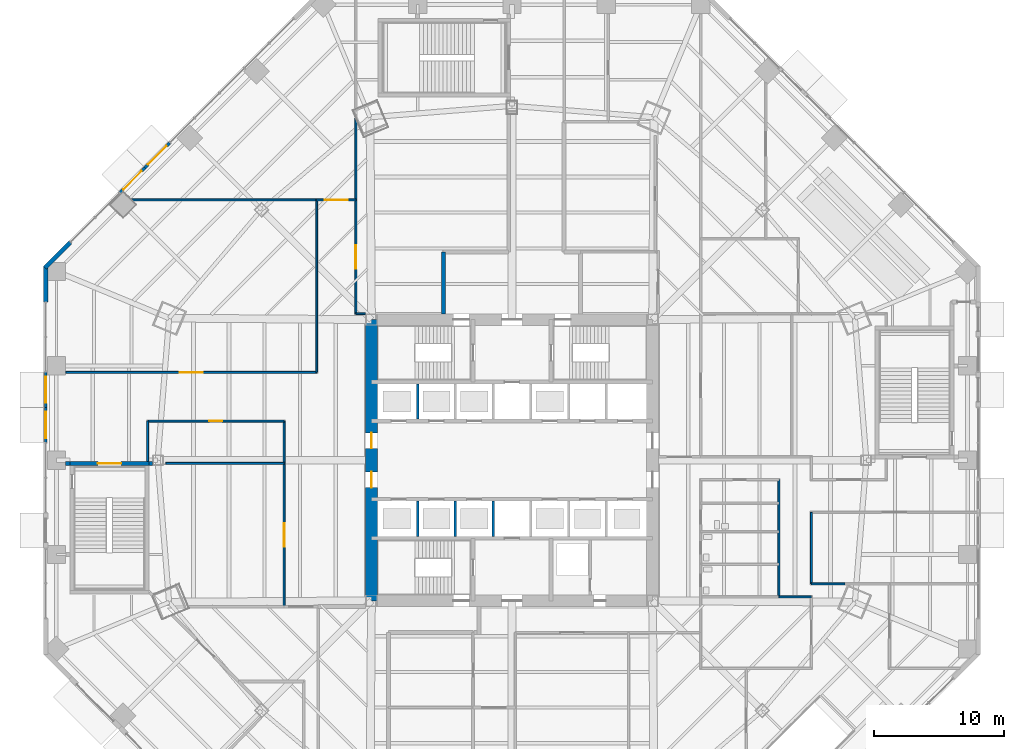
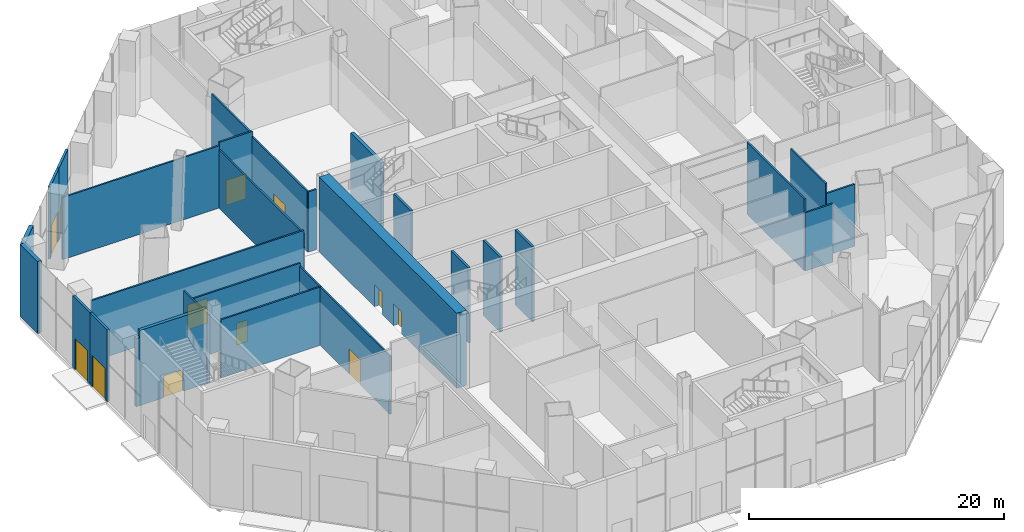
# One storey, part 21 of 35: 30 walls, 12 doors, 12 openings.
"""IFC4 building model written with IfcOpenShell, lengths in metres."""

from ifc_helpers import new_model, si_unit, direction, frame, frame_2d, origin, place, context, subcontext, project, spatial, rectangle, extrude, material, layer, layer_set, type_object, element, fill, save


model = new_model("IFC4")

# Units and contexts
model_context = context("Model", 3, precision=1e-05, world=origin(), true_north=direction((0.0, 1.0)))
body_context = subcontext(model_context, "Body", "Model", "MODEL_VIEW")
ifc_project = project(units=[si_unit("LENGTHUNIT", "METRE"), si_unit("AREAUNIT", "SQUARE_METRE"), si_unit("VOLUMEUNIT", "CUBIC_METRE"), si_unit("PLANEANGLEUNIT", "RADIAN"), si_unit("MASSUNIT", "GRAM", prefix="KILO")], contexts=[model_context])

# Site, building, storey
site_placement = place(None, origin())
site = spatial("IfcSite", under=ifc_project, at=site_placement, CompositionType="ELEMENT")
building_placement = place(site_placement, origin())
building = spatial("IfcBuilding", under=site, at=building_placement, Name="Mashrafa Tower", CompositionType="ELEMENT")
storey_placement = place(building_placement, origin())
storey = spatial("IfcBuildingStorey", under=building, at=storey_placement, Name="L00", CompositionType="ELEMENT", Elevation=0.0)

# Wall, openings, doors
ifc_material_1 = material(Name="Concrete C60/75", Category="concrete")
ifc_layer_1 = layer(ifc_material_1, 0.89990234375)
ifc_layer_set_1 = layer_set([ifc_layer_1], Name="Core wall 900 C60/75")
wall_type_1 = type_object("IfcWallType", Name="Core wall 900 C60/75", PredefinedType="SOLIDWALL", material=ifc_layer_set_1)
wall_1_placement = place(storey_placement, frame((-10.800048828125, 10.800048828125, 0.0), z_axis=(0.0, 0.0, 1.0), x_axis=(0.0, -1.0, 0.0)))
wall_1 = element("IfcWall", 1, at=wall_1_placement, inside=storey, type_object=wall_type_1, Name="Core wall CW-W L00", PredefinedType="SOLIDWALL", context=body_context, shape_type="SweptSolid", body=[
    extrude(rectangle(XDim=21.60009765625, YDim=0.89990234375, at=frame_2d((10.800048828125, 0.0))), origin(), (0.0, 0.0, 1.0), 7.199951171875),
])
opening_1_placement = place(wall_1_placement, frame((8.699951171875, 0.0, 0.0)))
opening_1 = element("IfcOpeningElement", 2, at=opening_1_placement, cuts=wall_1, Name="Opening 00.032", PredefinedType="OPENING", context=body_context, shape_type="SweptSolid", body=[
    extrude(rectangle(XDim=1.199951171875, YDim=2.10009765625, at=frame_2d((0.60009765625, 1.050048828125))), frame((0.0, 0.4599609375, 0.0), z_axis=(0.0, -1.0, 0.0), x_axis=(1.0, 0.0, 0.0)), (0.0, 0.0, 1.0), 0.919921875),
])
opening_2_placement = place(wall_1_placement, frame((11.699951171875, 0.0, 0.0)))
opening_2 = element("IfcOpeningElement", 3, at=opening_2_placement, cuts=wall_1, Name="Opening 00.034", PredefinedType="OPENING", context=body_context, shape_type="SweptSolid", body=[
    extrude(rectangle(XDim=1.199951171875, YDim=2.10009765625, at=frame_2d((0.60009765625, 1.050048828125))), frame((0.0, 0.4599609375, 0.0), z_axis=(0.0, -1.0, 0.0), x_axis=(1.0, 0.0, 0.0)), (0.0, 0.0, 1.0), 0.919921875),
])
ifc_material_2 = material(Name="Steel door", Category="steel")
door_type_1 = type_object("IfcDoorType", Name="Lift hall door 1200 x 2100 90 min", OperationType="USERDEFINED", PredefinedType="DOOR", material=ifc_material_2)
door_1_placement = place(opening_1_placement, frame((1.199951171875, 0.0, 0.0), z_axis=(0.0, 0.0, 1.0), x_axis=(-1.0, 0.0, 0.0)))
door_1 = element("IfcDoor", 4, at=door_1_placement, inside=storey, type_object=door_type_1, Name="Lift hall door west L00", OperationType="SINGLE_SWING_RIGHT", OverallHeight=2.10009765625, OverallWidth=1.199951171875, PredefinedType="DOOR", context=body_context, shape_type="SweptSolid", body=[
    extrude(rectangle(XDim=1.199951171875, YDim=2.10009765625, at=frame_2d((0.60009765625, 1.050048828125))), frame((0.0, 0.02490234375, 0.0), z_axis=(0.0, -1.0, 0.0), x_axis=(1.0, 0.0, 0.0)), (0.0, 0.0, 1.0), 0.050048828125),
])
fill(opening_1, door_1)
door_2_placement = place(opening_2_placement, frame((1.199951171875, 0.0, 0.0), z_axis=(0.0, 0.0, 1.0), x_axis=(-1.0, 0.0, 0.0)))
door_2 = element("IfcDoor", 5, at=door_2_placement, inside=storey, type_object=door_type_1, Name="Lift hall door west L00", OperationType="SINGLE_SWING_LEFT", OverallHeight=2.10009765625, OverallWidth=1.199951171875, PredefinedType="DOOR", context=body_context, shape_type="SweptSolid", body=[
    extrude(rectangle(XDim=1.199951171875, YDim=2.10009765625, at=frame_2d((0.60009765625, 1.050048828125))), frame((0.0, 0.02490234375, 0.0), z_axis=(0.0, -1.0, 0.0), x_axis=(1.0, 0.0, 0.0)), (0.0, 0.0, 1.0), 0.050048828125),
])
fill(opening_2, door_2)

# Wall
ifc_material_3 = material(Name="Gypsum board on steel studs", Category="steel")
ifc_layer_2 = layer(ifc_material_3, 0.14990234375)
ifc_layer_set_2 = layer_set([ifc_layer_2], Name="Corridor partition 150 1 hr")
wall_type_2 = type_object("IfcWallType", Name="Corridor partition 150 1 hr", PredefinedType="PARTITIONING", material=ifc_layer_set_2)
wall_2_placement = place(storey_placement, frame((20.5, -10.5, 0.0), z_axis=(0.0, 0.0, 1.0), x_axis=(0.0, 1.0, 0.0)))
element("IfcWall", 6, at=wall_2_placement, inside=storey, type_object=wall_type_2, Name="Corridor wall L00-028", PredefinedType="PARTITIONING", context=body_context, shape_type="SweptSolid", body=[
    extrude(rectangle(XDim=9.0, YDim=0.14990234375, at=frame_2d((4.5, 0.0))), origin(), (0.0, 0.0, 1.0), 6.89990234375),
])

# Wall, opening, door
wall_3_placement = place(storey_placement, frame((-15.0009765625, 20.0, 0.0), z_axis=(0.0, 0.0, 1.0), x_axis=(1.0, 0.0, 0.0)))
wall_3 = element("IfcWall", 7, at=wall_3_placement, inside=storey, type_object=wall_type_2, Name="Corridor wall L00-053", PredefinedType="PARTITIONING", context=body_context, shape_type="SweptSolid", body=[
    extrude(rectangle(XDim=3.0009765625, YDim=0.14990234375, at=frame_2d((1.50048828125, 0.0))), origin(), (0.0, 0.0, 1.0), 6.2880859375),
])
opening_3_placement = place(wall_3_placement, frame((0.6005859375, 0.0, 0.0)))
opening_3 = element("IfcOpeningElement", 8, at=opening_3_placement, cuts=wall_3, Name="Opening 00.009", PredefinedType="OPENING", context=body_context, shape_type="SweptSolid", body=[
    extrude(rectangle(XDim=1.800048828125, YDim=2.39990234375, at=frame_2d((0.89990234375, 1.199951171875))), frame((0.0, 0.0849609375, 0.0), z_axis=(0.0, -1.0, 0.0), x_axis=(1.0, 0.0, 0.0)), (0.0, 0.0, 1.0), 0.169921875),
])
ifc_material_4 = material(Name="Steel door", Category="steel")
door_type_2 = type_object("IfcDoorType", Name="Door pair 1800 x 2400 90 min", OperationType="DOUBLE_DOOR_SINGLE_SWING", PredefinedType="DOOR", material=ifc_material_4)
door_3_placement = place(opening_3_placement, origin())
door_3 = element("IfcDoor", 9, at=door_3_placement, inside=storey, type_object=door_type_2, Name="Retail Unit 001 door", OperationType="DOUBLE_DOOR_SINGLE_SWING", OverallHeight=2.39990234375, OverallWidth=1.800048828125, PredefinedType="DOOR", context=body_context, shape_type="SweptSolid", body=[
    extrude(rectangle(XDim=1.800048828125, YDim=2.39990234375, at=frame_2d((0.89990234375, 1.199951171875))), frame((0.0, 0.02490234375, 0.0), z_axis=(0.0, -1.0, 0.0), x_axis=(1.0, 0.0, 0.0)), (0.0, 0.0, 1.0), 0.050048828125),
])
fill(opening_3, door_3)

wall_4_placement = place(storey_placement, frame((-34.281005859375, 6.75, 0.0), z_axis=(0.0, 0.0, 1.0), x_axis=(1.0, 0.0, 0.0)))
wall_4 = element("IfcWall", 10, at=wall_4_placement, inside=storey, type_object=wall_type_2, Name="Corridor wall L00-054", PredefinedType="PARTITIONING", context=body_context, shape_type="SweptSolid", body=[
    extrude(rectangle(XDim=19.281005859375, YDim=0.14990234375, at=frame_2d((9.640625, 0.0))), origin(), (0.0, 0.0, 1.0), 5.879150390625),
])
opening_4_placement = place(wall_4_placement, frame((8.740478515625, 0.0, 0.0)))
opening_4 = element("IfcOpeningElement", 11, at=opening_4_placement, cuts=wall_4, Name="Opening 00.010", PredefinedType="OPENING", context=body_context, shape_type="SweptSolid", body=[
    extrude(rectangle(XDim=1.800048828125, YDim=2.39990234375, at=frame_2d((0.89990234375, 1.199951171875))), frame((0.0, 0.0849609375, 0.0), z_axis=(0.0, -1.0, 0.0), x_axis=(1.0, 0.0, 0.0)), (0.0, 0.0, 1.0), 0.169921875),
])
door_4_placement = place(opening_4_placement, frame((1.800048828125, 0.0, 0.0), z_axis=(0.0, 0.0, 1.0), x_axis=(-1.0, 0.0, 0.0)))
door_4 = element("IfcDoor", 12, at=door_4_placement, inside=storey, type_object=door_type_2, Name="Restaurant L00 door", OperationType="DOUBLE_DOOR_SINGLE_SWING", OverallHeight=2.39990234375, OverallWidth=1.800048828125, PredefinedType="DOOR", context=body_context, shape_type="SweptSolid", body=[
    extrude(rectangle(XDim=1.800048828125, YDim=2.39990234375, at=frame_2d((0.89990234375, 1.199951171875))), frame((0.0, 0.02490234375, 0.0), z_axis=(0.0, -1.0, 0.0), x_axis=(1.0, 0.0, 0.0)), (0.0, 0.0, 1.0), 0.050048828125),
])
fill(opening_4, door_4)

# Wall
wall_5_placement = place(storey_placement, frame((-15.0, 6.75, 0.0), z_axis=(0.0, 0.0, 1.0), x_axis=(0.0, 1.0, 0.0)))
element("IfcWall", 13, at=wall_5_placement, inside=storey, type_object=wall_type_2, Name="Corridor wall L00-055", PredefinedType="PARTITIONING", context=body_context, shape_type="SweptSolid", body=[
    extrude(rectangle(XDim=13.25, YDim=0.14990234375, at=frame_2d((6.625, 0.0))), origin(), (0.0, 0.0, 1.0), 5.590087890625),
])

# Wall, opening, door
wall_6_placement = place(storey_placement, frame((-17.5, -11.25, 0.0), z_axis=(0.0, 0.0, 1.0), x_axis=(0.0, 1.0, 0.0)))
wall_6 = element("IfcWall", 14, at=wall_6_placement, inside=storey, type_object=wall_type_2, Name="Corridor wall L00-057", PredefinedType="PARTITIONING", context=body_context, shape_type="SweptSolid", body=[
    extrude(rectangle(XDim=14.25, YDim=0.14990234375, at=frame_2d((7.125, 0.0))), origin(), (0.0, 0.0, 1.0), 5.590087890625),
])
opening_5_placement = place(wall_6_placement, frame((4.60009765625, 0.0, 0.0)))
opening_5 = element("IfcOpeningElement", 15, at=opening_5_placement, cuts=wall_6, Name="Opening 00.011", PredefinedType="OPENING", context=body_context, shape_type="SweptSolid", body=[
    extrude(rectangle(XDim=1.800048828125, YDim=2.39990234375, at=frame_2d((0.89990234375, 1.199951171875))), frame((0.0, 0.0849609375, 0.0), z_axis=(0.0, -1.0, 0.0), x_axis=(1.0, 0.0, 0.0)), (0.0, 0.0, 1.0), 0.169921875),
])
door_5_placement = place(opening_5_placement, frame((1.800048828125, 0.0, 0.0), z_axis=(0.0, 0.0, 1.0), x_axis=(-1.0, 0.0, 0.0)))
door_5 = element("IfcDoor", 16, at=door_5_placement, inside=storey, type_object=door_type_2, Name="Business Lounge L00 door", OperationType="DOUBLE_DOOR_SINGLE_SWING", OverallHeight=2.39990234375, OverallWidth=1.800048828125, PredefinedType="DOOR", context=body_context, shape_type="SweptSolid", body=[
    extrude(rectangle(XDim=1.800048828125, YDim=2.39990234375, at=frame_2d((0.89990234375, 1.199951171875))), frame((0.0, 0.02490234375, 0.0), z_axis=(0.0, -1.0, 0.0), x_axis=(1.0, 0.0, 0.0)), (0.0, 0.0, 1.0), 0.050048828125),
])
fill(opening_5, door_5)

wall_7_placement = place(storey_placement, frame((-12.0, 20.0009765625, 0.0), z_axis=(0.0, 0.0, 1.0), x_axis=(0.0, -1.0, 0.0)))
wall_7 = element("IfcWall", 17, at=wall_7_placement, inside=storey, type_object=wall_type_2, Name="Corridor wall L00-058", PredefinedType="PARTITIONING", context=body_context, shape_type="SweptSolid", body=[
    extrude(rectangle(XDim=8.7509765625, YDim=0.14990234375, at=frame_2d((4.37548828125, 0.0))), origin(), (0.0, 0.0, 1.0), 5.7900390625),
])
opening_6_placement = place(wall_7_placement, frame((3.4755859375, 0.0, 0.0)))
opening_6 = element("IfcOpeningElement", 18, at=opening_6_placement, cuts=wall_7, Name="Opening 00.012", PredefinedType="OPENING", context=body_context, shape_type="SweptSolid", body=[
    extrude(rectangle(XDim=1.800048828125, YDim=2.39990234375, at=frame_2d((0.89990234375, 1.199951171875))), frame((0.0, 0.0849609375, 0.0), z_axis=(0.0, -1.0, 0.0), x_axis=(1.0, 0.0, 0.0)), (0.0, 0.0, 1.0), 0.169921875),
])
door_6_placement = place(opening_6_placement, origin())
door_6 = element("IfcDoor", 19, at=door_6_placement, inside=storey, type_object=door_type_2, Name="Visitor Information Room L00 door", OperationType="DOUBLE_DOOR_SINGLE_SWING", OverallHeight=2.39990234375, OverallWidth=1.800048828125, PredefinedType="DOOR", context=body_context, shape_type="SweptSolid", body=[
    extrude(rectangle(XDim=1.800048828125, YDim=2.39990234375, at=frame_2d((0.89990234375, 1.199951171875))), frame((0.0, 0.02490234375, 0.0), z_axis=(0.0, -1.0, 0.0), x_axis=(1.0, 0.0, 0.0)), (0.0, 0.0, 1.0), 0.050048828125),
])
fill(opening_6, door_6)

# Wall
wall_8_placement = place(storey_placement, frame((-12.0, 11.25, 0.0), z_axis=(0.0, 0.0, 1.0), x_axis=(1.0, 0.0, 0.0)))
element("IfcWall", 20, at=wall_8_placement, inside=storey, type_object=wall_type_2, Name="Corridor wall L00-059", PredefinedType="PARTITIONING", context=body_context, shape_type="SweptSolid", body=[
    extrude(rectangle(XDim=0.73095703125, YDim=0.14990234375, at=frame_2d((0.365478515625, 0.0))), origin(), (0.0, 0.0, 1.0), 5.7900390625),
])

# Wall, opening, door
wall_9_placement = place(storey_placement, frame((-17.5, 3.0, 0.0), z_axis=(0.0, 0.0, 1.0), x_axis=(-1.0, 0.0, 0.0)))
wall_9 = element("IfcWall", 21, at=wall_9_placement, inside=storey, type_object=wall_type_2, Name="Corridor wall L00-066", PredefinedType="PARTITIONING", context=body_context, shape_type="SweptSolid", body=[
    extrude(rectangle(XDim=10.5, YDim=0.14990234375, at=frame_2d((5.25, 0.0))), origin(), (0.0, 0.0, 1.0), 5.879150390625),
])
opening_7_placement = place(wall_9_placement, frame((4.75, 0.0, 0.0)))
opening_7 = element("IfcOpeningElement", 22, at=opening_7_placement, cuts=wall_9, Name="Opening 00.015", PredefinedType="OPENING", context=body_context, shape_type="SweptSolid", body=[
    extrude(rectangle(XDim=1.0, YDim=2.10009765625, at=frame_2d((0.5, 1.050048828125))), frame((0.0, 0.0849609375, 0.0), z_axis=(0.0, -1.0, 0.0), x_axis=(1.0, 0.0, 0.0)), (0.0, 0.0, 1.0), 0.169921875),
])
ifc_material_5 = material(Name="Timber door", Category="wood")
door_type_3 = type_object("IfcDoorType", Name="Door 1000 x 2100", OperationType="USERDEFINED", PredefinedType="DOOR", material=ifc_material_5)
door_7_placement = place(opening_7_placement, origin())
door_7 = element("IfcDoor", 23, at=door_7_placement, inside=storey, type_object=door_type_3, Name="Observation Ticket Office L00 door", OperationType="SINGLE_SWING_LEFT", OverallHeight=2.10009765625, OverallWidth=1.0, PredefinedType="DOOR", context=body_context, shape_type="SweptSolid", body=[
    extrude(rectangle(XDim=1.0, YDim=2.10009765625, at=frame_2d((0.5, 1.050048828125))), frame((0.0, 0.02490234375, 0.0), z_axis=(0.0, -1.0, 0.0), x_axis=(1.0, 0.0, 0.0)), (0.0, 0.0, 1.0), 0.050048828125),
])
fill(opening_7, door_7)

# Walls
wall_10_placement = place(storey_placement, frame((-28.0, 3.0, 0.0), z_axis=(0.0, 0.0, 1.0), x_axis=(0.0, -1.0, 0.0)))
element("IfcWall", 24, at=wall_10_placement, inside=storey, type_object=wall_type_2, Name="Corridor wall L00-067", PredefinedType="PARTITIONING", context=body_context, shape_type="SweptSolid", body=[
    extrude(rectangle(XDim=3.1005859375, YDim=0.14990234375, at=frame_2d((1.55029296875, 0.0))), origin(), (0.0, 0.0, 1.0), 6.89990234375),
])
wall_11_placement = place(storey_placement, frame((23.0, -10.5, 0.0), z_axis=(0.0, 0.0, 1.0), x_axis=(-1.0, 0.0, 0.0)))
element("IfcWall", 25, at=wall_11_placement, inside=storey, type_object=wall_type_2, Name="Corridor wall L00-106", PredefinedType="PARTITIONING", context=body_context, shape_type="SweptSolid", body=[
    extrude(rectangle(XDim=2.5009765625, YDim=0.14990234375, at=frame_2d((1.25048828125, 0.0))), origin(), (0.0, 0.0, 1.0), 5.590087890625),
])
wall_12_placement = place(storey_placement, frame((23.0, -4.0, 0.0), z_axis=(0.0, 0.0, 1.0), x_axis=(0.0, -1.0, 0.0)))
element("IfcWall", 26, at=wall_12_placement, inside=storey, type_object=wall_type_2, Name="Corridor wall L00-113", PredefinedType="PARTITIONING", context=body_context, shape_type="SweptSolid", body=[
    extrude(rectangle(XDim=5.5, YDim=0.14990234375, at=frame_2d((2.75, 0.0))), origin(), (0.0, 0.0, 1.0), 6.89990234375),
])
wall_13_placement = place(storey_placement, frame((23.0, -9.5, 0.0), z_axis=(0.0, 0.0, 1.0), x_axis=(1.0, 0.0, 0.0)))
element("IfcWall", 27, at=wall_13_placement, inside=storey, type_object=wall_type_2, Name="Corridor wall L00-114", PredefinedType="PARTITIONING", context=body_context, shape_type="SweptSolid", body=[
    extrude(rectangle(XDim=2.577880859375, YDim=0.14990234375, at=frame_2d((1.2890625, 0.0))), origin(), (0.0, 0.0, 1.0), 5.962890625),
])

# Wall, opening, door
ifc_material_6 = material(Name="Bronze-framed glazed screen")
ifc_layer_3 = layer(ifc_material_6, 0.199951171875)
ifc_layer_set_3 = layer_set([ifc_layer_3], Name="Glazed door screen 200")
wall_type_3 = type_object("IfcWallType", Name="Glazed door screen 200", PredefinedType="SOLIDWALL", material=ifc_layer_set_3)
wall_14_placement = place(storey_placement, frame((-26.2880859375, 24.376220703125, 0.0), z_axis=(0.0, 0.0, 1.0), x_axis=(-0.707061628939, -0.707151930551, 0.0)))
wall_14 = element("IfcWall", 28, at=wall_14_placement, inside=storey, type_object=wall_type_3, Name="Glazed entrance screen L00 north-west bay 7", PredefinedType="SOLIDWALL", context=body_context, shape_type="SweptSolid", body=[
    extrude(rectangle(XDim=2.70361328125, YDim=0.199951171875, at=frame_2d((1.351806640625, 0.0))), origin(), (0.0, 0.0, 1.0), 6.89990234375),
])
opening_8_placement = place(wall_14_placement, frame((0.351806640625, 0.0, 0.0)))
opening_8 = element("IfcOpeningElement", 29, at=opening_8_placement, cuts=wall_14, Name="Opening ED1", PredefinedType="OPENING", context=body_context, shape_type="SweptSolid", body=[
    extrude(rectangle(XDim=2.0, YDim=3.0, at=frame_2d((1.0, 1.5))), frame((0.0, 0.10986328125, 0.0), z_axis=(0.0, -1.0, 0.0), x_axis=(1.0, 0.0, 0.0)), (0.0, 0.0, 1.0), 0.219970703125),
])
ifc_material_7 = material(Name="Bronze-framed glazed entrance door")
door_type_4 = type_object("IfcDoorType", Name="Entrance door pair 2000 x 3000", OperationType="DOUBLE_DOOR_SINGLE_SWING", PredefinedType="DOOR", material=ifc_material_7)
door_8_placement = place(opening_8_placement, origin())
door_8 = element("IfcDoor", 30, at=door_8_placement, inside=storey, type_object=door_type_4, Name="Retail entrance north-west", OperationType="SINGLE_SWING_LEFT", OverallHeight=3.0, OverallWidth=2.0, PredefinedType="DOOR", context=body_context, shape_type="SweptSolid", body=[
    extrude(rectangle(XDim=2.0, YDim=3.0, at=frame_2d((1.0, 1.5))), frame((0.0, 0.02490234375, 0.0), z_axis=(0.0, -1.0, 0.0), x_axis=(1.0, 0.0, 0.0)), (0.0, 0.0, 1.0), 0.050048828125),
])
fill(opening_8, door_8)

wall_15_placement = place(storey_placement, frame((-28.19970703125, 22.46435546875, 0.0), z_axis=(0.0, 0.0, 1.0), x_axis=(-0.707151930551, -0.707061628939, 0.0)))
wall_15 = element("IfcWall", 31, at=wall_15_placement, inside=storey, type_object=wall_type_3, Name="Glazed entrance screen L00 north-west bay 8", PredefinedType="SOLIDWALL", context=body_context, shape_type="SweptSolid", body=[
    extrude(rectangle(XDim=2.70361328125, YDim=0.199951171875, at=frame_2d((1.351806640625, 0.0))), origin(), (0.0, 0.0, 1.0), 6.89990234375),
])
opening_9_placement = place(wall_15_placement, frame((0.351806640625, 0.0, 0.0)))
opening_9 = element("IfcOpeningElement", 32, at=opening_9_placement, cuts=wall_15, Name="Opening ED1", PredefinedType="OPENING", context=body_context, shape_type="SweptSolid", body=[
    extrude(rectangle(XDim=2.0, YDim=3.0, at=frame_2d((1.0, 1.5))), frame((0.0, 0.10986328125, 0.0), z_axis=(0.0, -1.0, 0.0), x_axis=(1.0, 0.0, 0.0)), (0.0, 0.0, 1.0), 0.219970703125),
])
door_9_placement = place(opening_9_placement, origin())
door_9 = element("IfcDoor", 33, at=door_9_placement, inside=storey, type_object=door_type_4, Name="Retail entrance north-west", OperationType="SINGLE_SWING_LEFT", OverallHeight=3.0, OverallWidth=2.0, PredefinedType="DOOR", context=body_context, shape_type="SweptSolid", body=[
    extrude(rectangle(XDim=2.0, YDim=3.0, at=frame_2d((1.0, 1.5))), frame((0.0, 0.02490234375, 0.0), z_axis=(0.0, -1.0, 0.0), x_axis=(1.0, 0.0, 0.0)), (0.0, 0.0, 1.0), 0.050048828125),
])
fill(opening_9, door_9)

wall_16_placement = place(storey_placement, frame((-35.824951171875, 6.75927734375, 0.0), z_axis=(0.0, 0.0, 1.0), x_axis=(0.0, -1.0, 0.0)))
wall_16 = element("IfcWall", 34, at=wall_16_placement, inside=storey, type_object=wall_type_3, Name="Glazed entrance screen L00 west bay 4", PredefinedType="SOLIDWALL", context=body_context, shape_type="SweptSolid", body=[
    extrude(rectangle(XDim=2.703857421875, YDim=0.199951171875, at=frame_2d((1.35205078125, 0.0))), origin(), (0.0, 0.0, 1.0), 6.89990234375),
])
opening_10_placement = place(wall_16_placement, frame((0.351806640625, 0.0, 0.0)))
opening_10 = element("IfcOpeningElement", 35, at=opening_10_placement, cuts=wall_16, Name="Opening ED1", PredefinedType="OPENING", context=body_context, shape_type="SweptSolid", body=[
    extrude(rectangle(XDim=2.0, YDim=3.0, at=frame_2d((1.0, 1.5))), frame((0.0, 0.10986328125, 0.0), z_axis=(0.0, -1.0, 0.0), x_axis=(1.0, 0.0, 0.0)), (0.0, 0.0, 1.0), 0.219970703125),
])
door_10_placement = place(opening_10_placement, origin())
door_10 = element("IfcDoor", 36, at=door_10_placement, inside=storey, type_object=door_type_4, Name="Observation entrance west", OperationType="SINGLE_SWING_LEFT", OverallHeight=3.0, OverallWidth=2.0, PredefinedType="DOOR", context=body_context, shape_type="SweptSolid", body=[
    extrude(rectangle(XDim=2.0, YDim=3.0, at=frame_2d((1.0, 1.5))), frame((0.0, 0.02490234375, 0.0), z_axis=(0.0, -1.0, 0.0), x_axis=(1.0, 0.0, 0.0)), (0.0, 0.0, 1.0), 0.050048828125),
])
fill(opening_10, door_10)

wall_17_placement = place(storey_placement, frame((-35.824951171875, 4.055419921875, 0.0), z_axis=(0.0, 0.0, 1.0), x_axis=(0.0, -1.0, 0.0)))
wall_17 = element("IfcWall", 37, at=wall_17_placement, inside=storey, type_object=wall_type_3, Name="Glazed entrance screen L00 west bay 5", PredefinedType="SOLIDWALL", context=body_context, shape_type="SweptSolid", body=[
    extrude(rectangle(XDim=2.70361328125, YDim=0.199951171875, at=frame_2d((1.351806640625, 0.0))), origin(), (0.0, 0.0, 1.0), 6.89990234375),
])
opening_11_placement = place(wall_17_placement, frame((0.351806640625, 0.0, 0.0)))
opening_11 = element("IfcOpeningElement", 38, at=opening_11_placement, cuts=wall_17, Name="Opening ED1", PredefinedType="OPENING", context=body_context, shape_type="SweptSolid", body=[
    extrude(rectangle(XDim=2.0, YDim=3.0, at=frame_2d((1.0, 1.5))), frame((0.0, 0.10986328125, 0.0), z_axis=(0.0, -1.0, 0.0), x_axis=(1.0, 0.0, 0.0)), (0.0, 0.0, 1.0), 0.219970703125),
])
door_11_placement = place(opening_11_placement, origin())
door_11 = element("IfcDoor", 39, at=door_11_placement, inside=storey, type_object=door_type_4, Name="Observation entrance west", OperationType="SINGLE_SWING_LEFT", OverallHeight=3.0, OverallWidth=2.0, PredefinedType="DOOR", context=body_context, shape_type="SweptSolid", body=[
    extrude(rectangle(XDim=2.0, YDim=3.0, at=frame_2d((1.0, 1.5))), frame((0.0, 0.02490234375, 0.0), z_axis=(0.0, -1.0, 0.0), x_axis=(1.0, 0.0, 0.0)), (0.0, 0.0, 1.0), 0.050048828125),
])
fill(opening_11, door_11)

# Walls
ifc_material_8 = material(Name="Riyadh limestone cladding on blockwork", Category="masonry")
ifc_layer_4 = layer(ifc_material_8, 0.35009765625)
ifc_layer_set_4 = layer_set([ifc_layer_4], Name="Limestone-clad external wall 350")
wall_type_4 = type_object("IfcWallType", Name="Limestone-clad external wall 350", PredefinedType="SOLIDWALL", material=ifc_layer_set_4)
for number, where, z_axis, x_axis, name in (
    (40, (-33.93505859375, 16.72900390625, 0.0), (0.0, 0.0, 1.0), (-0.707106781187, -0.707106781187, 0.0), "Limestone corner pier L00 north-west bay 11"),
    (41, (-35.824951171875, 14.91162109375, 0.0), (0.0, 0.0, 1.0), (0.0, -1.0, 0.0), "Limestone corner pier L00 west bay 1"),
):
    element("IfcWall", number, at=place(storey_placement, frame(where, z_axis=z_axis, x_axis=x_axis)), inside=storey, type_object=wall_type_4, Name=name, PredefinedType="SOLIDWALL", context=body_context, shape_type="SweptSolid", body=[
        extrude(rectangle(XDim=2.7451171875, YDim=0.35009765625, at=frame_2d((1.37255859375, 0.0))), origin(), (0.0, 0.0, 1.0), 6.89990234375),
    ])
ifc_material_9 = material(Name="Gypsum board on steel studs", Category="steel")
ifc_layer_5 = layer(ifc_material_9, 0.14990234375)
ifc_layer_set_5 = layer_set([ifc_layer_5], Name="Partition 150")
wall_type_5 = type_object("IfcWallType", Name="Partition 150", PredefinedType="PARTITIONING", material=ifc_layer_set_5)
wall_18_placement = place(storey_placement, frame((-29.234375, 20.0, 0.0), z_axis=(0.0, 0.0, 1.0), x_axis=(1.0, 0.0, 0.0)))
element("IfcWall", 42, at=wall_18_placement, inside=storey, type_object=wall_type_5, Name="Partition wall L00-050", PredefinedType="PARTITIONING", context=body_context, shape_type="SweptSolid", body=[
    extrude(rectangle(XDim=14.2353515625, YDim=0.14990234375, at=frame_2d((7.11767578125, 0.0))), origin(), (0.0, 0.0, 1.0), 5.962890625),
])
wall_19_placement = place(storey_placement, frame((-12.0, 20.0, 0.0), z_axis=(0.0, 0.0, 1.0), x_axis=(0.0, 1.0, 0.0)))
element("IfcWall", 43, at=wall_19_placement, inside=storey, type_object=wall_type_5, Name="Partition wall L00-051", PredefinedType="PARTITIONING", context=body_context, shape_type="SweptSolid", body=[
    extrude(rectangle(XDim=6.307861328125, YDim=0.14990234375, at=frame_2d((3.15380859375, 0.0))), origin(), (0.0, 0.0, 1.0), 6.04931640625),
])
wall_20_placement = place(storey_placement, frame((-17.5, -0.25, 0.0), z_axis=(0.0, 0.0, 1.0), x_axis=(-1.0, 0.0, 0.0)))
element("IfcWall", 44, at=wall_20_placement, inside=storey, type_object=wall_type_5, Name="Partition wall L00-056", PredefinedType="PARTITIONING", context=body_context, shape_type="SweptSolid", body=[
    extrude(rectangle(XDim=9.091796875, YDim=0.14990234375, at=frame_2d((4.5458984375, 0.0))), origin(), (0.0, 0.0, 1.0), 5.590087890625),
])
ifc_material_10 = material(Name="Gypsum shaft wall on steel studs", Category="steel")
ifc_layer_6 = layer(ifc_material_10, 0.199951171875)
ifc_layer_set_6 = layer_set([ifc_layer_6], Name="Shaft divider wall 200 2 hr")
wall_type_6 = type_object("IfcWallType", Name="Shaft divider wall 200 2 hr", PredefinedType="PARTITIONING", material=ifc_layer_set_6)
for number, where, z_axis, x_axis, name in (
    (45, (-7.25, 3.14990234375, 0.0), (0.0, 0.0, 1.0), (0.0, 1.0, 0.0), "Shaft divider wall N1 L00"),
    (46, (-7.25, -5.85009765625, 0.0), (0.0, 0.0, 1.0), (0.0, 1.0, 0.0), "Shaft divider wall S1 L00"),
    (47, (-4.35009765625, -5.85009765625, 0.0), (0.0, 0.0, 1.0), (0.0, 1.0, 0.0), "Shaft divider wall S2 L00"),
    (48, (-1.449951171875, -5.85009765625, 0.0), (0.0, 0.0, 1.0), (0.0, 1.0, 0.0), "Shaft divider wall S3 L00"),
):
    element("IfcWall", number, at=place(storey_placement, frame(where, z_axis=z_axis, x_axis=x_axis)), inside=storey, type_object=wall_type_6, Name=name, PredefinedType="PARTITIONING", context=body_context, shape_type="SweptSolid", body=[
        extrude(rectangle(XDim=2.7001953125, YDim=0.199951171875, at=frame_2d((1.35009765625, 0.0))), origin(), (0.0, 0.0, 1.0), 7.199951171875),
    ])

# Wall, opening, door
ifc_material_11 = material(Name="Concrete C35/45", Category="concrete")
ifc_layer_7 = layer(ifc_material_11, 0.300048828125)
ifc_layer_set_7 = layer_set([ifc_layer_7], Name="Stair core wall 300 3 hr")
wall_type_7 = type_object("IfcWallType", Name="Stair core wall 300 3 hr", PredefinedType="SOLIDWALL", material=ifc_layer_set_7)
wall_21_placement = place(storey_placement, frame((-27.89990234375, -0.25, 0.0), z_axis=(0.0, 0.0, 1.0), x_axis=(-1.0, 0.0, 0.0)))
wall_21 = element("IfcWall", 49, at=wall_21_placement, inside=storey, type_object=wall_type_7, Name="Stair P3 core wall N L00", PredefinedType="SOLIDWALL", context=body_context, shape_type="SweptSolid", body=[
    extrude(rectangle(XDim=6.050048828125, YDim=0.300048828125, at=frame_2d((3.02490234375, 0.0))), origin(), (0.0, 0.0, 1.0), 7.199951171875),
])
opening_12_placement = place(wall_21_placement, frame((2.125, 0.0, 0.0)))
opening_12 = element("IfcOpeningElement", 50, at=opening_12_placement, cuts=wall_21, Name="Opening 00.049", PredefinedType="OPENING", context=body_context, shape_type="SweptSolid", body=[
    extrude(rectangle(XDim=1.800048828125, YDim=2.10009765625, at=frame_2d((0.89990234375, 1.050048828125))), frame((0.0, 0.159912109375, 0.0), z_axis=(0.0, -1.0, 0.0), x_axis=(1.0, 0.0, 0.0)), (0.0, 0.0, 1.0), 0.320068359375),
])
ifc_material_12 = material(Name="Steel door", Category="steel")
door_type_5 = type_object("IfcDoorType", Name="Stair door pair 1800 x 2100 90 min", OperationType="DOUBLE_DOOR_SINGLE_SWING", PredefinedType="DOOR", material=ifc_material_12)
door_12_placement = place(opening_12_placement, origin())
door_12 = element("IfcDoor", 51, at=door_12_placement, inside=storey, type_object=door_type_5, Name="Stair P3 door L00", OperationType="DOUBLE_DOOR_SINGLE_SWING", OverallHeight=2.10009765625, OverallWidth=1.800048828125, PredefinedType="DOOR", context=body_context, shape_type="SweptSolid", body=[
    extrude(rectangle(XDim=1.800048828125, YDim=2.10009765625, at=frame_2d((0.89990234375, 1.050048828125))), frame((0.0, 0.02490234375, 0.0), z_axis=(0.0, -1.0, 0.0), x_axis=(1.0, 0.0, 0.0)), (0.0, 0.0, 1.0), 0.050048828125),
])
fill(opening_12, door_12)

# Walls
wall_22_placement = place(storey_placement, frame((-27.89990234375, -0.25, 0.0), z_axis=(0.0, 0.0, 1.0), x_axis=(1.0, 0.0, 0.0)))
element("IfcWall", 52, at=wall_22_placement, inside=storey, type_object=wall_type_7, Name="Stair P3 core wall N L00 end piece 1", PredefinedType="SOLIDWALL", context=body_context, shape_type="SweptSolid", body=[
    extrude(rectangle(XDim=0.285400390625, YDim=0.300048828125, at=frame_2d((0.142578125, 0.0))), origin(), (0.0, 0.0, 1.0), 6.54443359375),
])
wall_23_placement = place(storey_placement, frame((-33.949951171875, -0.25, 0.0), z_axis=(0.0, 0.0, 1.0), x_axis=(-1.0, 0.0, 0.0)))
element("IfcWall", 53, at=wall_23_placement, inside=storey, type_object=wall_type_7, Name="Stair P3 core wall N L00 end piece 2", PredefinedType="SOLIDWALL", context=body_context, shape_type="SweptSolid", body=[
    extrude(rectangle(XDim=0.35009765625, YDim=0.300048828125, at=frame_2d((0.175048828125, 0.0))), origin(), (0.0, 0.0, 1.0), 6.54443359375),
])
ifc_material_13 = material(Name="Concrete masonry unit", Category="masonry")
ifc_layer_8 = layer(ifc_material_13, 0.300048828125)
ifc_layer_set_8 = layer_set([ifc_layer_8], Name="Stair enclosure wall 300 2 hr")
wall_type_8 = type_object("IfcWallType", Name="Stair enclosure wall 300 2 hr", PredefinedType="PARTITIONING", material=ifc_layer_set_8)
wall_24_placement = place(storey_placement, frame((-5.25, 16.0, 0.0), z_axis=(0.0, 0.0, 1.0), x_axis=(0.0, -1.0, 0.0)))
element("IfcWall", 54, at=wall_24_placement, inside=storey, type_object=wall_type_8, Name="Stair wall L00-006", PredefinedType="PARTITIONING", context=body_context, shape_type="SweptSolid", body=[
    extrude(rectangle(XDim=4.75, YDim=0.300048828125, at=frame_2d((2.375, 0.0))), origin(), (0.0, 0.0, 1.0), 6.2119140625),
])

save(model, "model.ifc")
